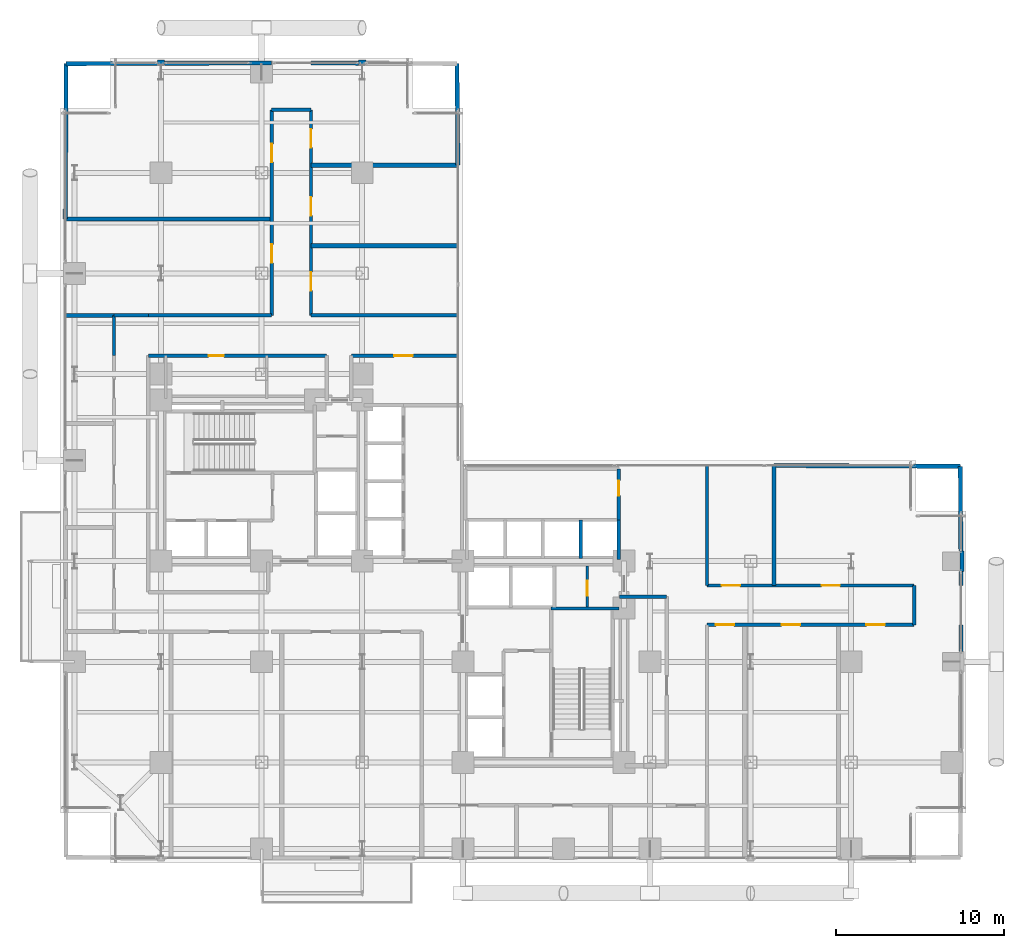
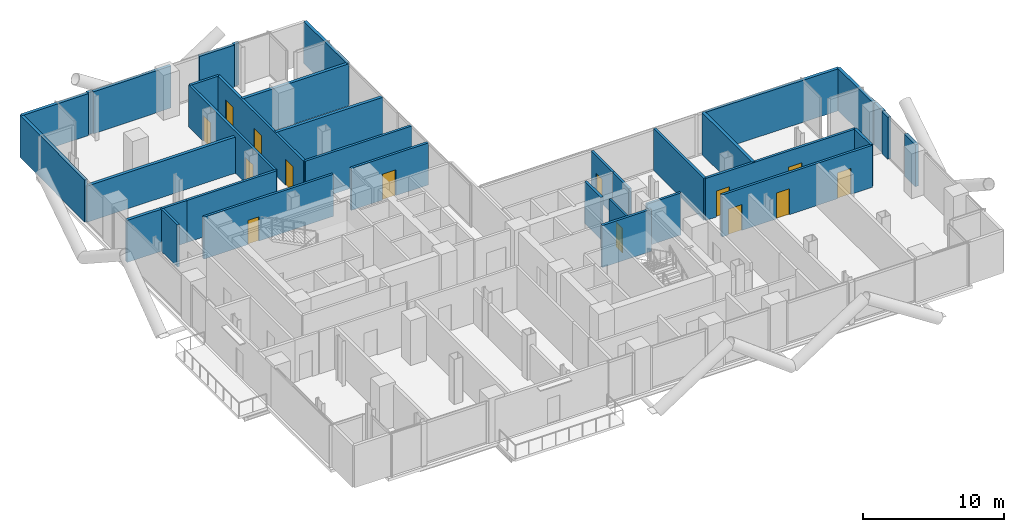
# One storey, part 22 of 25: 36 walls, 14 doors, 14 openings.
"""IFC4 building model written with IfcOpenShell, lengths in metres."""

from ifc_helpers import new_model, si_unit, direction, frame, frame_2d, origin, place, context, subcontext, project, spatial, rectangle, extrude, material, layer, layer_set, type_object, element, fill, save


model = new_model("IFC4")

# Units and contexts
model_context = context("Model", 3, precision=1e-05, world=origin(), true_north=direction((0.0, 1.0)))
body_context = subcontext(model_context, "Body", "Model", "MODEL_VIEW")
ifc_project = project(units=[si_unit("LENGTHUNIT", "METRE"), si_unit("AREAUNIT", "SQUARE_METRE"), si_unit("VOLUMEUNIT", "CUBIC_METRE"), si_unit("PLANEANGLEUNIT", "RADIAN"), si_unit("MASSUNIT", "GRAM", prefix="KILO"), si_unit("THERMODYNAMICTEMPERATUREUNIT", "KELVIN"), si_unit("POWERUNIT", "WATT")], contexts=[model_context])

# Site, building, storey
site_placement = place(None, origin())
site = spatial("IfcSite", under=ifc_project, at=site_placement, CompositionType="ELEMENT")
building_placement = place(site_placement, origin())
building = spatial("IfcBuilding", under=site, at=building_placement, Name="Svarakhadi Broadcast Tower", CompositionType="ELEMENT")
storey_placement = place(building_placement, frame((0.0, 0.0, 83.10009765625)))
storey = spatial("IfcBuildingStorey", under=building, at=storey_placement, Name="L19", CompositionType="ELEMENT", Elevation=83.10009765625)

# Walls
ifc_material_1 = material(Name="Double-Stud Acoustic Studio Partition STC-62", Category="gypsum")
ifc_layer_1 = layer(ifc_material_1, 0.199951171875)
ifc_layer_set_1 = layer_set([ifc_layer_1], Name="Double-Stud Acoustic Studio Partition STC-62")
wall_type_1 = type_object("IfcWallType", Name="Wall_Acoust_200", PredefinedType="PARTITIONING", material=ifc_layer_set_1)
wall_1_placement = place(storey_placement, frame((36.14990234375, 15.8798828125, 0.0), z_axis=(0.0, 0.0, 1.0), x_axis=(-1.0, 0.0, 0.0)))
element("IfcWall", 1, at=wall_1_placement, inside=storey, type_object=wall_type_1, Name="L19 Broadcast Corridor Wall", PredefinedType="PARTITIONING", context=body_context, shape_type="SweptSolid", body=[
    extrude(rectangle(XDim=2.809814453125, YDim=0.199951171875, at=frame_2d((1.40478515625, 0.0))), origin(), (0.0, 0.0, 1.0), 3.64990234375),
])
wall_2_placement = place(storey_placement, frame((38.550048828125, 23.699951171875, 0.0), z_axis=(0.0, 0.0, 1.0), x_axis=(0.0, -1.0, 0.0)))
element("IfcWall", 2, at=wall_2_placement, inside=storey, type_object=wall_type_1, Name="L19 Broadcast Corridor Wall", PredefinedType="PARTITIONING", context=body_context, shape_type="SweptSolid", body=[
    extrude(rectangle(XDim=7.14990234375, YDim=0.199951171875, at=frame_2d((3.574951171875, 0.0))), origin(), (0.0, 0.0, 1.0), 3.64990234375),
])

# Wall, openings, doors
wall_3_placement = place(storey_placement, frame((38.550048828125, 16.550048828125, 0.0), z_axis=(0.0, 0.0, 1.0), x_axis=(1.0, 0.0, 0.0)))
wall_3 = element("IfcWall", 3, at=wall_3_placement, inside=storey, type_object=wall_type_1, Name="L19 Broadcast Corridor Wall", PredefinedType="PARTITIONING", context=body_context, shape_type="SweptSolid", body=[
    extrude(rectangle(XDim=12.349853515625, YDim=0.199951171875, at=frame_2d((6.1748046875, 0.0))), origin(), (0.0, 0.0, 1.0), 3.64990234375),
])
opening_1_placement = place(wall_3_placement, frame((0.8798828125, 0.0, 0.0)))
opening_1 = element("IfcOpeningElement", 4, at=opening_1_placement, cuts=wall_3, Name="Opening D-10", PredefinedType="OPENING", context=body_context, shape_type="SweptSolid", body=[
    extrude(rectangle(XDim=1.10009765625, YDim=2.25, at=frame_2d((0.550048828125, 1.125))), frame((0.0, 0.10986328125, 0.0), z_axis=(0.0, -1.0, 0.0), x_axis=(1.0, 0.0, 0.0)), (0.0, 0.0, 1.0), 0.219970703125),
])
opening_2_placement = place(wall_3_placement, frame((6.830078125, 0.0, 0.0)))
opening_2 = element("IfcOpeningElement", 5, at=opening_2_placement, cuts=wall_3, Name="Opening D-10", PredefinedType="OPENING", context=body_context, shape_type="SweptSolid", body=[
    extrude(rectangle(XDim=1.10009765625, YDim=2.25, at=frame_2d((0.550048828125, 1.125))), frame((0.0, 0.10986328125, 0.0), z_axis=(0.0, -1.0, 0.0), x_axis=(1.0, 0.0, 0.0)), (0.0, 0.0, 1.0), 0.219970703125),
])
ifc_material_2 = material(Name="Solid-Core Teak Veneer Acoustic Timber Leaf", Category="wood")
door_type_1 = type_object("IfcDoorType", Name="Door_Acoust_D10", OperationType="SINGLE_SWING_LEFT", PredefinedType="DOOR", material=ifc_material_2)
door_1_placement = place(opening_1_placement, origin())
door_1 = element("IfcDoor", 6, at=door_1_placement, inside=storey, type_object=door_type_1, Name="L19 Broadcast Acoustic Booth Door", OperationType="SINGLE_SWING_LEFT", OverallHeight=2.25, OverallWidth=1.10009765625, PredefinedType="DOOR", context=body_context, shape_type="SweptSolid", body=[
    extrude(rectangle(XDim=1.10009765625, YDim=2.25, at=frame_2d((0.550048828125, 1.125))), frame((0.0, 0.02490234375, 0.0), z_axis=(0.0, -1.0, 0.0), x_axis=(1.0, 0.0, 0.0)), (0.0, 0.0, 1.0), 0.050048828125),
])
fill(opening_1, door_1)
door_2_placement = place(opening_2_placement, origin())
door_2 = element("IfcDoor", 7, at=door_2_placement, inside=storey, type_object=door_type_1, Name="L19 Broadcast Equipment Operations Room Door", OperationType="SINGLE_SWING_LEFT", OverallHeight=2.25, OverallWidth=1.10009765625, PredefinedType="DOOR", context=body_context, shape_type="SweptSolid", body=[
    extrude(rectangle(XDim=1.10009765625, YDim=2.25, at=frame_2d((0.550048828125, 1.125))), frame((0.0, 0.02490234375, 0.0), z_axis=(0.0, -1.0, 0.0), x_axis=(1.0, 0.0, 0.0)), (0.0, 0.0, 1.0), 0.050048828125),
])
fill(opening_2, door_2)

# Wall
wall_4_placement = place(storey_placement, frame((50.89990234375, 16.550048828125, 0.0), z_axis=(0.0, 0.0, 1.0), x_axis=(0.0, -1.0, 0.0)))
element("IfcWall", 8, at=wall_4_placement, inside=storey, type_object=wall_type_1, Name="L19 Broadcast Corridor Wall", PredefinedType="PARTITIONING", context=body_context, shape_type="SweptSolid", body=[
    extrude(rectangle(XDim=2.35009765625, YDim=0.199951171875, at=frame_2d((1.175048828125, 0.0))), origin(), (0.0, 0.0, 1.0), 3.64990234375),
])

# Wall, openings, doors
wall_5_placement = place(storey_placement, frame((50.89990234375, 14.199951171875, 0.0), z_axis=(0.0, 0.0, 1.0), x_axis=(-1.0, 0.0, 0.0)))
wall_5 = element("IfcWall", 9, at=wall_5_placement, inside=storey, type_object=wall_type_1, Name="L19 Broadcast Corridor Wall", PredefinedType="PARTITIONING", context=body_context, shape_type="SweptSolid", body=[
    extrude(rectangle(XDim=12.349853515625, YDim=0.199951171875, at=frame_2d((6.1748046875, 0.0))), origin(), (0.0, 0.0, 1.0), 3.64990234375),
])
opening_3_placement = place(wall_5_placement, frame((10.72509765625, 0.0, 0.0)))
opening_3 = element("IfcOpeningElement", 10, at=opening_3_placement, cuts=wall_5, Name="Opening D-10", PredefinedType="OPENING", context=body_context, shape_type="SweptSolid", body=[
    extrude(rectangle(XDim=1.10009765625, YDim=2.25, at=frame_2d((0.550048828125, 1.125))), frame((0.0, 0.10986328125, 0.0), z_axis=(0.0, -1.0, 0.0), x_axis=(1.0, 0.0, 0.0)), (0.0, 0.0, 1.0), 0.219970703125),
])
opening_4_placement = place(wall_5_placement, frame((6.800048828125, 0.0, 0.0)))
opening_4 = element("IfcOpeningElement", 11, at=opening_4_placement, cuts=wall_5, Name="Opening D-11", PredefinedType="OPENING", context=body_context, shape_type="SweptSolid", body=[
    extrude(rectangle(XDim=1.10009765625, YDim=2.25, at=frame_2d((0.550048828125, 1.125))), frame((0.0, 0.10986328125, 0.0), z_axis=(0.0, -1.0, 0.0), x_axis=(1.0, 0.0, 0.0)), (0.0, 0.0, 1.0), 0.219970703125),
])
opening_5_placement = place(wall_5_placement, frame((1.75, 0.0, 0.0)))
opening_5 = element("IfcOpeningElement", 12, at=opening_5_placement, cuts=wall_5, Name="Opening D-10", PredefinedType="OPENING", context=body_context, shape_type="SweptSolid", body=[
    extrude(rectangle(XDim=1.10009765625, YDim=2.25, at=frame_2d((0.550048828125, 1.125))), frame((0.0, 0.10986328125, 0.0), z_axis=(0.0, -1.0, 0.0), x_axis=(1.0, 0.0, 0.0)), (0.0, 0.0, 1.0), 0.219970703125),
])
door_3_placement = place(opening_3_placement, origin())
door_3 = element("IfcDoor", 13, at=door_3_placement, inside=storey, type_object=door_type_1, Name="L19 Podcast Roundtable Studio Door", OperationType="SINGLE_SWING_LEFT", OverallHeight=2.25, OverallWidth=1.10009765625, PredefinedType="DOOR", context=body_context, shape_type="SweptSolid", body=[
    extrude(rectangle(XDim=1.10009765625, YDim=2.25, at=frame_2d((0.550048828125, 1.125))), frame((0.0, 0.02490234375, 0.0), z_axis=(0.0, -1.0, 0.0), x_axis=(1.0, 0.0, 0.0)), (0.0, 0.0, 1.0), 0.050048828125),
])
fill(opening_3, door_3)
door_4_placement = place(opening_5_placement, origin())
door_4 = element("IfcDoor", 14, at=door_4_placement, inside=storey, type_object=door_type_1, Name="L19 Guest Waiting Lounge Door", OperationType="SINGLE_SWING_LEFT", OverallHeight=2.25, OverallWidth=1.10009765625, PredefinedType="DOOR", context=body_context, shape_type="SweptSolid", body=[
    extrude(rectangle(XDim=1.10009765625, YDim=2.25, at=frame_2d((0.550048828125, 1.125))), frame((0.0, 0.02490234375, 0.0), z_axis=(0.0, -1.0, 0.0), x_axis=(1.0, 0.0, 0.0)), (0.0, 0.0, 1.0), 0.050048828125),
])
fill(opening_5, door_4)
door_type_2 = type_object("IfcDoorType", Name="Door_Acoust_D11", OperationType="SINGLE_SWING_RIGHT", PredefinedType="DOOR", material=ifc_material_2)
door_5_placement = place(opening_4_placement, origin())
door_5 = element("IfcDoor", 15, at=door_5_placement, inside=storey, type_object=door_type_2, Name="L19 Green-Screen Vodcast Room Door", OperationType="SINGLE_SWING_RIGHT", OverallHeight=2.25, OverallWidth=1.10009765625, PredefinedType="DOOR", context=body_context, shape_type="SweptSolid", body=[
    extrude(rectangle(XDim=1.10009765625, YDim=2.25, at=frame_2d((0.550048828125, 1.125))), frame((0.0, 0.02490234375, 0.0), z_axis=(0.0, -1.0, 0.0), x_axis=(1.0, 0.0, 0.0)), (0.0, 0.0, 1.0), 0.050048828125),
])
fill(opening_4, door_5)

# Walls
wall_6_placement = place(storey_placement, frame((3.199951171875, 30.25, 0.0), z_axis=(0.0, 0.0, 1.0), x_axis=(0.0, 1.0, 0.0)))
element("IfcWall", 16, at=wall_6_placement, inside=storey, type_object=wall_type_1, Name="L19 Broadcast Corridor Wall", PredefinedType="PARTITIONING", context=body_context, shape_type="SweptSolid", body=[
    extrude(rectangle(XDim=2.39990234375, YDim=0.199951171875, at=frame_2d((1.199951171875, 0.0))), origin(), (0.0, 0.0, 1.0), 3.64990234375),
])
wall_7_placement = place(storey_placement, frame((3.199951171875, 32.64990234375, 0.0), z_axis=(0.0, 0.0, 1.0), x_axis=(1.0, 0.0, 0.0)))
element("IfcWall", 17, at=wall_7_placement, inside=storey, type_object=wall_type_1, Name="L19 Broadcast Corridor Wall", PredefinedType="PARTITIONING", context=body_context, shape_type="SweptSolid", body=[
    extrude(rectangle(XDim=2.050048828125, YDim=0.199951171875, at=frame_2d((1.02490234375, 0.0))), origin(), (0.0, 0.0, 1.0), 3.64990234375),
])
wall_8_placement = place(storey_placement, frame((5.25, 32.64990234375, 0.0), z_axis=(0.0, 0.0, 1.0), x_axis=(1.0, 0.0, 0.0)))
element("IfcWall", 18, at=wall_8_placement, inside=storey, type_object=wall_type_1, Name="L19 Broadcast Corridor Wall", PredefinedType="PARTITIONING", context=body_context, shape_type="SweptSolid", body=[
    extrude(rectangle(XDim=7.35009765625, YDim=0.199951171875, at=frame_2d((3.675048828125, 0.0))), origin(), (0.0, 0.0, 1.0), 3.64990234375),
])

# Wall, openings, doors
wall_9_placement = place(storey_placement, frame((12.60009765625, 32.64990234375, 0.0), z_axis=(0.0, 0.0, 1.0), x_axis=(0.0, 1.0, 0.0)))
wall_9 = element("IfcWall", 19, at=wall_9_placement, inside=storey, type_object=wall_type_1, Name="L19 Broadcast Corridor Wall", PredefinedType="PARTITIONING", context=body_context, shape_type="SweptSolid", body=[
    extrude(rectangle(XDim=12.25, YDim=0.199951171875, at=frame_2d((6.125, 0.0))), origin(), (0.0, 0.0, 1.0), 3.64990234375),
])
opening_6_placement = place(wall_9_placement, frame((3.1298828125, 0.0, 0.0)))
opening_6 = element("IfcOpeningElement", 20, at=opening_6_placement, cuts=wall_9, Name="Opening D-11", PredefinedType="OPENING", context=body_context, shape_type="SweptSolid", body=[
    extrude(rectangle(XDim=1.10009765625, YDim=2.25, at=frame_2d((0.550048828125, 1.125))), frame((0.0, 0.10986328125, 0.0), z_axis=(0.0, -1.0, 0.0), x_axis=(1.0, 0.0, 0.0)), (0.0, 0.0, 1.0), 0.219970703125),
])
opening_7_placement = place(wall_9_placement, frame((9.1298828125, 0.0, 0.0)))
opening_7 = element("IfcOpeningElement", 21, at=opening_7_placement, cuts=wall_9, Name="Opening D-11", PredefinedType="OPENING", context=body_context, shape_type="SweptSolid", body=[
    extrude(rectangle(XDim=1.10009765625, YDim=2.25, at=frame_2d((0.550048828125, 1.125))), frame((0.0, 0.10986328125, 0.0), z_axis=(0.0, -1.0, 0.0), x_axis=(1.0, 0.0, 0.0)), (0.0, 0.0, 1.0), 0.219970703125),
])
door_6_placement = place(opening_6_placement, origin())
door_6 = element("IfcDoor", 22, at=door_6_placement, inside=storey, type_object=door_type_2, Name="L19 Web Engineering Hub Door", OperationType="SINGLE_SWING_RIGHT", OverallHeight=2.25, OverallWidth=1.10009765625, PredefinedType="DOOR", context=body_context, shape_type="SweptSolid", body=[
    extrude(rectangle(XDim=1.10009765625, YDim=2.25, at=frame_2d((0.550048828125, 1.125))), frame((0.0, 0.02490234375, 0.0), z_axis=(0.0, -1.0, 0.0), x_axis=(1.0, 0.0, 0.0)), (0.0, 0.0, 1.0), 0.050048828125),
])
fill(opening_6, door_6)
door_7_placement = place(opening_7_placement, origin())
door_7 = element("IfcDoor", 23, at=door_7_placement, inside=storey, type_object=door_type_2, Name="L19 Creators Coffee Bar Door", OperationType="SINGLE_SWING_RIGHT", OverallHeight=2.25, OverallWidth=1.10009765625, PredefinedType="DOOR", context=body_context, shape_type="SweptSolid", body=[
    extrude(rectangle(XDim=1.10009765625, YDim=2.25, at=frame_2d((0.550048828125, 1.125))), frame((0.0, 0.02490234375, 0.0), z_axis=(0.0, -1.0, 0.0), x_axis=(1.0, 0.0, 0.0)), (0.0, 0.0, 1.0), 0.050048828125),
])
fill(opening_7, door_7)

# Wall
wall_10_placement = place(storey_placement, frame((12.60009765625, 44.89990234375, 0.0), z_axis=(0.0, 0.0, 1.0), x_axis=(1.0, 0.0, 0.0)))
element("IfcWall", 24, at=wall_10_placement, inside=storey, type_object=wall_type_1, Name="L19 Broadcast Corridor Wall", PredefinedType="PARTITIONING", context=body_context, shape_type="SweptSolid", body=[
    extrude(rectangle(XDim=2.349853515625, YDim=0.199951171875, at=frame_2d((1.1748046875, 0.0))), origin(), (0.0, 0.0, 1.0), 3.64990234375),
])

# Wall, openings, doors
wall_11_placement = place(storey_placement, frame((14.949951171875, 44.89990234375, 0.0), z_axis=(0.0, 0.0, 1.0), x_axis=(0.0, -1.0, 0.0)))
wall_11 = element("IfcWall", 25, at=wall_11_placement, inside=storey, type_object=wall_type_1, Name="L19 Broadcast Corridor Wall", PredefinedType="PARTITIONING", context=body_context, shape_type="SweptSolid", body=[
    extrude(rectangle(XDim=12.25, YDim=0.199951171875, at=frame_2d((6.125, 0.0))), origin(), (0.0, 0.0, 1.0), 3.64990234375),
])
opening_8_placement = place(wall_11_placement, frame((9.675048828125, 0.0, 0.0)))
opening_8 = element("IfcOpeningElement", 26, at=opening_8_placement, cuts=wall_11, Name="Opening D-11", PredefinedType="OPENING", context=body_context, shape_type="SweptSolid", body=[
    extrude(rectangle(XDim=1.10009765625, YDim=2.25, at=frame_2d((0.550048828125, 1.125))), frame((0.0, 0.10986328125, 0.0), z_axis=(0.0, -1.0, 0.0), x_axis=(1.0, 0.0, 0.0)), (0.0, 0.0, 1.0), 0.219970703125),
])
opening_9_placement = place(wall_11_placement, frame((5.199951171875, 0.0, 0.0)))
opening_9 = element("IfcOpeningElement", 27, at=opening_9_placement, cuts=wall_11, Name="Opening D-10", PredefinedType="OPENING", context=body_context, shape_type="SweptSolid", body=[
    extrude(rectangle(XDim=1.10009765625, YDim=2.25, at=frame_2d((0.550048828125, 1.125))), frame((0.0, 0.10986328125, 0.0), z_axis=(0.0, -1.0, 0.0), x_axis=(1.0, 0.0, 0.0)), (0.0, 0.0, 1.0), 0.219970703125),
])
opening_10_placement = place(wall_11_placement, frame((1.14990234375, 0.0, 0.0)))
opening_10 = element("IfcOpeningElement", 28, at=opening_10_placement, cuts=wall_11, Name="Opening D-11", PredefinedType="OPENING", context=body_context, shape_type="SweptSolid", body=[
    extrude(rectangle(XDim=1.10009765625, YDim=2.25, at=frame_2d((0.550048828125, 1.125))), frame((0.0, 0.10986328125, 0.0), z_axis=(0.0, -1.0, 0.0), x_axis=(1.0, 0.0, 0.0)), (0.0, 0.0, 1.0), 0.219970703125),
])
door_8_placement = place(opening_9_placement, origin())
door_8 = element("IfcDoor", 29, at=door_8_placement, inside=storey, type_object=door_type_1, Name="L19 Edge Cache Server Room Door", OperationType="SINGLE_SWING_LEFT", OverallHeight=2.25, OverallWidth=1.10009765625, PredefinedType="DOOR", context=body_context, shape_type="SweptSolid", body=[
    extrude(rectangle(XDim=1.10009765625, YDim=2.25, at=frame_2d((0.550048828125, 1.125))), frame((0.0, 0.02490234375, 0.0), z_axis=(0.0, -1.0, 0.0), x_axis=(1.0, 0.0, 0.0)), (0.0, 0.0, 1.0), 0.050048828125),
])
fill(opening_9, door_8)
door_9_placement = place(opening_8_placement, origin())
door_9 = element("IfcDoor", 30, at=door_9_placement, inside=storey, type_object=door_type_2, Name="L19 Stream Monitoring Office Door", OperationType="SINGLE_SWING_RIGHT", OverallHeight=2.25, OverallWidth=1.10009765625, PredefinedType="DOOR", context=body_context, shape_type="SweptSolid", body=[
    extrude(rectangle(XDim=1.10009765625, YDim=2.25, at=frame_2d((0.550048828125, 1.125))), frame((0.0, 0.02490234375, 0.0), z_axis=(0.0, -1.0, 0.0), x_axis=(1.0, 0.0, 0.0)), (0.0, 0.0, 1.0), 0.050048828125),
])
fill(opening_8, door_9)
door_10_placement = place(opening_10_placement, origin())
door_10 = element("IfcDoor", 31, at=door_10_placement, inside=storey, type_object=door_type_2, Name="L19 Agile Scrum Huddle Room Door", OperationType="SINGLE_SWING_RIGHT", OverallHeight=2.25, OverallWidth=1.10009765625, PredefinedType="DOOR", context=body_context, shape_type="SweptSolid", body=[
    extrude(rectangle(XDim=1.10009765625, YDim=2.25, at=frame_2d((0.550048828125, 1.125))), frame((0.0, 0.02490234375, 0.0), z_axis=(0.0, -1.0, 0.0), x_axis=(1.0, 0.0, 0.0)), (0.0, 0.0, 1.0), 0.050048828125),
])
fill(opening_10, door_10)

# Wall
wall_12_placement = place(storey_placement, frame((14.949951171875, 32.64990234375, 0.0), z_axis=(0.0, 0.0, 1.0), x_axis=(1.0, 0.0, 0.0)))
element("IfcWall", 32, at=wall_12_placement, inside=storey, type_object=wall_type_1, Name="L19 Broadcast Corridor Wall", PredefinedType="PARTITIONING", context=body_context, shape_type="SweptSolid", body=[
    extrude(rectangle(XDim=8.75, YDim=0.199951171875, at=frame_2d((4.375, 0.0))), origin(), (0.0, 0.0, 1.0), 3.64990234375),
])

# Wall, opening, door
wall_13_placement = place(storey_placement, frame((23.699951171875, 30.25, 0.0), z_axis=(0.0, 0.0, 1.0), x_axis=(-1.0, 0.0, 0.0)))
wall_13 = element("IfcWall", 33, at=wall_13_placement, inside=storey, type_object=wall_type_1, Name="L19 Broadcast Corridor Wall", PredefinedType="PARTITIONING", context=body_context, shape_type="SweptSolid", body=[
    extrude(rectangle(XDim=6.349853515625, YDim=0.199951171875, at=frame_2d((3.1748046875, 0.0))), origin(), (0.0, 0.0, 1.0), 3.64990234375),
])
opening_11_placement = place(wall_13_placement, frame((2.699951171875, 0.0, 0.0)))
opening_11 = element("IfcOpeningElement", 34, at=opening_11_placement, cuts=wall_13, Name="Opening D-10", PredefinedType="OPENING", context=body_context, shape_type="SweptSolid", body=[
    extrude(rectangle(XDim=1.10009765625, YDim=2.25, at=frame_2d((0.550048828125, 1.125))), frame((0.0, 0.10986328125, 0.0), z_axis=(0.0, -1.0, 0.0), x_axis=(1.0, 0.0, 0.0)), (0.0, 0.0, 1.0), 0.219970703125),
])
door_11_placement = place(opening_11_placement, origin())
door_11 = element("IfcDoor", 35, at=door_11_placement, inside=storey, type_object=door_type_1, Name="L19 Production Continuity Office Door", OperationType="SINGLE_SWING_LEFT", OverallHeight=2.25, OverallWidth=1.10009765625, PredefinedType="DOOR", context=body_context, shape_type="SweptSolid", body=[
    extrude(rectangle(XDim=1.10009765625, YDim=2.25, at=frame_2d((0.550048828125, 1.125))), frame((0.0, 0.02490234375, 0.0), z_axis=(0.0, -1.0, 0.0), x_axis=(1.0, 0.0, 0.0)), (0.0, 0.0, 1.0), 0.050048828125),
])
fill(opening_11, door_11)

wall_14_placement = place(storey_placement, frame((15.8798828125, 30.25, 0.0), z_axis=(0.0, 0.0, 1.0), x_axis=(-1.0, 0.0, 0.0)))
wall_14 = element("IfcWall", 36, at=wall_14_placement, inside=storey, type_object=wall_type_1, Name="L19 Broadcast Corridor Wall", PredefinedType="PARTITIONING", context=body_context, shape_type="SweptSolid", body=[
    extrude(rectangle(XDim=10.6298828125, YDim=0.199951171875, at=frame_2d((5.31494140625, 0.0))), origin(), (0.0, 0.0, 1.0), 3.64990234375),
])
opening_12_placement = place(wall_14_placement, frame((6.1298828125, 0.0, 0.0)))
opening_12 = element("IfcOpeningElement", 37, at=opening_12_placement, cuts=wall_14, Name="Opening D-13", PredefinedType="OPENING", context=body_context, shape_type="SweptSolid", body=[
    extrude(rectangle(XDim=0.89990234375, YDim=2.10009765625, at=frame_2d((0.449951171875, 1.050048828125))), frame((0.0, 0.10986328125, 0.0), z_axis=(0.0, -1.0, 0.0), x_axis=(1.0, 0.0, 0.0)), (0.0, 0.0, 1.0), 0.219970703125),
])
door_type_3 = type_object("IfcDoorType", Name="Door_Closet_D13", OperationType="SINGLE_SWING_RIGHT", PredefinedType="DOOR", material=ifc_material_2)
door_12_placement = place(opening_12_placement, origin())
door_12 = element("IfcDoor", 38, at=door_12_placement, inside=storey, type_object=door_type_3, Name="L19 Accessible Toilet WC Door", OperationType="SINGLE_SWING_RIGHT", OverallHeight=2.10009765625, OverallWidth=0.89990234375, PredefinedType="DOOR", context=body_context, shape_type="SweptSolid", body=[
    extrude(rectangle(XDim=0.89990234375, YDim=2.10009765625, at=frame_2d((0.449951171875, 1.050048828125))), frame((0.0, 0.02490234375, 0.0), z_axis=(0.0, -1.0, 0.0), x_axis=(1.0, 0.0, 0.0)), (0.0, 0.0, 1.0), 0.050048828125),
])
fill(opening_12, door_12)

# Walls
ifc_layer_2 = layer(ifc_material_1, 0.25)
ifc_layer_set_2 = layer_set([ifc_layer_2], Name="Double-Stud Acoustic Studio Partition STC-62")
wall_type_2 = type_object("IfcWallType", Name="Wall_Acoust_250", PredefinedType="PARTITIONING", material=ifc_layer_set_2)
wall_15_placement = place(storey_placement, frame((53.6943359375, 12.614990234375, 0.0), z_axis=(0.0, 0.0, 1.0), x_axis=(0.003542799701, 0.999993724265, 0.0)))
element("IfcWall", 39, at=wall_15_placement, inside=storey, type_object=wall_type_2, Name="L19 Guest Waiting Lounge Wall", PredefinedType="PARTITIONING", context=body_context, shape_type="SweptSolid", body=[
    extrude(rectangle(XDim=1.5849609375, YDim=0.25, at=frame_2d((0.79248046875, 0.0))), origin(), (0.0, 0.0, 1.0), 3.64990234375),
])
wall_16_placement = place(storey_placement, frame((42.550048828125, 16.550048828125, 0.0), z_axis=(0.0, 0.0, 1.0), x_axis=(0.0, 1.0, 0.0)))
element("IfcWall", 40, at=wall_16_placement, inside=storey, type_object=wall_type_2, Name="L19 Broadcast Acoustic Booth Wall", PredefinedType="PARTITIONING", context=body_context, shape_type="SweptSolid", body=[
    extrude(rectangle(XDim=7.14990234375, YDim=0.25, at=frame_2d((3.574951171875, 0.0))), origin(), (0.0, 0.0, 1.0), 3.64990234375),
])
wall_17_placement = place(storey_placement, frame((42.550048828125, 23.699951171875, 0.0), z_axis=(0.0, 0.0, 1.0), x_axis=(0.999989834782, -0.004508917104, 0.0)))
element("IfcWall", 41, at=wall_17_placement, inside=storey, type_object=wall_type_2, Name="L19 Broadcast Equipment Operations Room Wall", PredefinedType="PARTITIONING", context=body_context, shape_type="SweptSolid", body=[
    extrude(rectangle(XDim=11.099853515625, YDim=0.25, at=frame_2d((5.5498046875, 0.0))), origin(), (0.0, 0.0, 1.0), 3.64990234375),
])
wall_18_placement = place(storey_placement, frame((53.699951171875, 16.550048828125, 0.0), z_axis=(0.0, 0.0, 1.0), x_axis=(-0.007017371073, 0.999975377948, 0.0)))
element("IfcWall", 42, at=wall_18_placement, inside=storey, type_object=wall_type_2, Name="L19 Broadcast Equipment Operations Room Wall", PredefinedType="PARTITIONING", context=body_context, shape_type="SweptSolid", body=[
    extrude(rectangle(XDim=0.8349609375, YDim=0.25, at=frame_2d((0.41748046875, 0.0))), origin(), (0.0, 0.0, 1.0), 3.64990234375),
])
wall_19_placement = place(storey_placement, frame((53.685546875, 18.614990234375, 0.0), z_axis=(0.0, 0.0, 1.0), x_axis=(-0.007079296972, 0.999974941463, 0.0)))
element("IfcWall", 43, at=wall_19_placement, inside=storey, type_object=wall_type_2, Name="L19 Broadcast Equipment Operations Room Wall", PredefinedType="PARTITIONING", context=body_context, shape_type="SweptSolid", body=[
    extrude(rectangle(XDim=5.03515625, YDim=0.25, at=frame_2d((2.517578125, 0.0))), origin(), (0.0, 0.0, 1.0), 3.64990234375),
])
wall_20_placement = place(storey_placement, frame((0.300048828125, 38.39990234375, 0.0), z_axis=(0.0, 0.0, 1.0), x_axis=(1.0, 0.0, 0.0)))
element("IfcWall", 44, at=wall_20_placement, inside=storey, type_object=wall_type_2, Name="L19 Web Engineering Hub Wall", PredefinedType="PARTITIONING", context=body_context, shape_type="SweptSolid", body=[
    extrude(rectangle(XDim=12.300048828125, YDim=0.25, at=frame_2d((6.14990234375, 0.0))), origin(), (0.0, 0.0, 1.0), 3.141845703125),
])
wall_21_placement = place(storey_placement, frame((0.35009765625, 47.64990234375, 0.0), z_axis=(0.0, 0.0, 1.0), x_axis=(0.999991644778, 0.004087832518, 0.0)))
element("IfcWall", 45, at=wall_21_placement, inside=storey, type_object=wall_type_2, Name="L19 Creators Coffee Bar Wall", PredefinedType="PARTITIONING", context=body_context, shape_type="SweptSolid", body=[
    extrude(rectangle(XDim=5.434814453125, YDim=0.25, at=frame_2d((2.71728515625, 0.0))), origin(), (0.0, 0.0, 1.0), 3.64990234375),
])
wall_22_placement = place(storey_placement, frame((6.215087890625, 47.673828125, 0.0), z_axis=(0.0, 0.0, 1.0), x_axis=(0.999991630701, 0.004091274595, 0.0)))
element("IfcWall", 46, at=wall_22_placement, inside=storey, type_object=wall_type_2, Name="L19 Creators Coffee Bar Wall", PredefinedType="PARTITIONING", context=body_context, shape_type="SweptSolid", body=[
    extrude(rectangle(XDim=6.385009765625, YDim=0.25, at=frame_2d((3.1923828125, 0.0))), origin(), (0.0, 0.0, 1.0), 3.64990234375),
])
wall_23_placement = place(storey_placement, frame((0.300048828125, 38.39990234375, 0.0), z_axis=(0.0, 0.0, 1.0), x_axis=(0.005410604923, 0.99998536257, 0.0)))
element("IfcWall", 47, at=wall_23_placement, inside=storey, type_object=wall_type_2, Name="L19 Creators Coffee Bar Wall", PredefinedType="PARTITIONING", context=body_context, shape_type="SweptSolid", body=[
    extrude(rectangle(XDim=9.250244140625, YDim=0.25, at=frame_2d((4.625, 0.0))), origin(), (0.0, 0.0, 1.0), 3.64990234375),
])
for number, where, z_axis, x_axis, name in (
    (48, (14.949951171875, 36.800048828125, 0.0), (0.0, 0.0, 1.0), (1.0, 0.0, 0.0), "L19 Stream Monitoring Office Wall"),
    (49, (14.949951171875, 41.60009765625, 0.0), (0.0, 0.0, 1.0), (1.0, 0.0, 0.0), "L19 Edge Cache Server Room Wall"),
):
    element("IfcWall", number, at=place(storey_placement, frame(where, z_axis=z_axis, x_axis=x_axis)), inside=storey, type_object=wall_type_2, Name=name, PredefinedType="PARTITIONING", context=body_context, shape_type="SweptSolid", body=[
        extrude(rectangle(XDim=8.75, YDim=0.25, at=frame_2d((4.375, 0.0))), origin(), (0.0, 0.0, 1.0), 3.64990234375),
    ])
wall_24_placement = place(storey_placement, frame((14.949951171875, 47.699951171875, 0.0), z_axis=(0.0, 0.0, 1.0), x_axis=(0.999983354582, -0.005769797172, 0.0)))
element("IfcWall", 50, at=wall_24_placement, inside=storey, type_object=wall_type_2, Name="L19 Agile Scrum Huddle Room Wall", PredefinedType="PARTITIONING", context=body_context, shape_type="SweptSolid", body=[
    extrude(rectangle(XDim=2.8349609375, YDim=0.25, at=frame_2d((1.41748046875, 0.0))), origin(), (0.0, 0.0, 1.0), 3.64990234375),
])
wall_25_placement = place(storey_placement, frame((23.699951171875, 41.60009765625, 0.0), z_axis=(0.0, 0.0, 1.0), x_axis=(-0.008272517568, 0.999965782141, 0.0)))
element("IfcWall", 51, at=wall_25_placement, inside=storey, type_object=wall_type_2, Name="L19 Agile Scrum Huddle Room Wall", PredefinedType="PARTITIONING", context=body_context, shape_type="SweptSolid", body=[
    extrude(rectangle(XDim=6.050048828125, YDim=0.25, at=frame_2d((3.02490234375, 0.0))), origin(), (0.0, 0.0, 1.0), 3.64990234375),
])
wall_26_placement = place(storey_placement, frame((0.300048828125, 32.64990234375, 0.0), z_axis=(0.0, 0.0, 1.0), x_axis=(1.0, 0.0, 0.0)))
element("IfcWall", 52, at=wall_26_placement, inside=storey, type_object=wall_type_2, Name="L19 Producer Quiet Lounge Wall", PredefinedType="PARTITIONING", context=body_context, shape_type="SweptSolid", body=[
    extrude(rectangle(XDim=2.89990234375, YDim=0.25, at=frame_2d((1.449951171875, 0.0))), origin(), (0.0, 0.0, 1.0), 3.64990234375),
])
ifc_material_3 = material(Name="Concrete C40/50 (IS 456 M50)", Category="concrete")
ifc_layer_3 = layer(ifc_material_3, 0.239990234375)
ifc_layer_set_3 = layer_set([ifc_layer_3], Name="Concrete C40/50 (IS 456 M50)")
wall_type_3 = type_object("IfcWallType", Name="Wall_Ext_240", PredefinedType="SOLIDWALL", material=ifc_layer_set_3)
for number, where, z_axis, x_axis, name in (
    (53, (5.784912109375, 47.760009765625, 0.0), (0.0, 0.0, 1.0), (1.0, 0.0, 0.0), "L19 Perimeter Bronze Spandrel Closure Wall 01"),
    (54, (17.784912109375, 47.760009765625, 0.0), (0.0, 0.0, 1.0), (1.0, 0.0, 0.0), "L19 Perimeter Bronze Spandrel Closure Wall 02"),
):
    element("IfcWall", number, at=place(storey_placement, frame(where, z_axis=z_axis, x_axis=x_axis)), inside=storey, type_object=wall_type_3, Name=name, PredefinedType="SOLIDWALL", context=body_context, shape_type="SweptSolid", body=[
        extrude(rectangle(XDim=0.43017578125, YDim=0.239990234375, at=frame_2d((0.215087890625, 0.0))), origin(), (0.0, 0.0, 1.0), 3.64990234375),
    ])
wall_27_placement = place(storey_placement, frame((53.760009765625, 18.614990234375, 0.0), z_axis=(0.0, 0.0, 1.0), x_axis=(0.0, -1.0, 0.0)))
element("IfcWall", 55, at=wall_27_placement, inside=storey, type_object=wall_type_3, Name="L19 Perimeter Bronze Spandrel Closure Wall 03", PredefinedType="SOLIDWALL", context=body_context, shape_type="SweptSolid", body=[
    extrude(rectangle(XDim=1.22998046875, YDim=0.239990234375, at=frame_2d((0.614990234375, 0.0))), origin(), (0.0, 0.0, 1.0), 3.64990234375),
])

# Wall, opening, door
ifc_material_4 = material(Name="Autoclaved Aerated Concrete Blockwork 150 mm", Category="masonry")
ifc_layer_4 = layer(ifc_material_4, 0.14990234375)
ifc_layer_set_4 = layer_set([ifc_layer_4], Name="Autoclaved Aerated Concrete Blockwork 150 mm")
wall_type_4 = type_object("IfcWallType", Name="Wall_Part_150", PredefinedType="PARTITIONING", material=ifc_layer_set_4)
wall_28_placement = place(storey_placement, frame((31.419921875, 15.280029296875, 0.0), z_axis=(0.0, 0.0, 1.0), x_axis=(0.0, 1.0, 0.0)))
wall_28 = element("IfcWall", 56, at=wall_28_placement, inside=storey, type_object=wall_type_4, Name="L19 East Core Dual Store Wall", PredefinedType="PARTITIONING", context=body_context, shape_type="SweptSolid", body=[
    extrude(rectangle(XDim=2.419921875, YDim=0.14990234375, at=frame_2d((1.2099609375, 0.0))), origin(), (0.0, 0.0, 1.0), 3.64990234375),
])
opening_13_placement = place(wall_28_placement, frame((0.64990234375, 0.0, 0.0)))
opening_13 = element("IfcOpeningElement", 57, at=opening_13_placement, cuts=wall_28, Name="Opening D-03", PredefinedType="OPENING", context=body_context, shape_type="SweptSolid", body=[
    extrude(rectangle(XDim=0.89990234375, YDim=2.14990234375, at=frame_2d((0.449951171875, 1.074951171875))), frame((0.0, 0.0849609375, 0.0), z_axis=(0.0, -1.0, 0.0), x_axis=(1.0, 0.0, 0.0)), (0.0, 0.0, 1.0), 0.169921875),
])
ifc_material_5 = material(Name="Galvanised Powder-Coated Fire-Rated Steel Leaf", Category="steel")
door_type_4 = type_object("IfcDoorType", Name="Door_Fire_D03", OperationType="SINGLE_SWING_LEFT", PredefinedType="DOOR", material=ifc_material_5)
door_13_placement = place(opening_13_placement, origin())
door_13 = element("IfcDoor", 58, at=door_13_placement, inside=storey, type_object=door_type_4, Name="L19 East Core Store B Door", OperationType="SINGLE_SWING_LEFT", OverallHeight=2.14990234375, OverallWidth=0.89990234375, PredefinedType="DOOR", context=body_context, shape_type="SweptSolid", body=[
    extrude(rectangle(XDim=0.89990234375, YDim=2.14990234375, at=frame_2d((0.449951171875, 1.074951171875))), frame((0.0, 0.02490234375, 0.0), z_axis=(0.0, -1.0, 0.0), x_axis=(1.0, 0.0, 0.0)), (0.0, 0.0, 1.0), 0.050048828125),
])
fill(opening_13, door_13)

# Walls
ifc_material_6 = material(Name="Concrete C50/60 (IS 456 M60)", Category="concrete")
ifc_layer_5 = layer(ifc_material_6, 0.199951171875)
ifc_layer_set_5 = layer_set([ifc_layer_5], Name="Concrete C50/60 (IS 456 M60)")
wall_type_5 = type_object("IfcWallType", Name="Wall_Shear_200", PredefinedType="SHEAR", material=ifc_layer_set_5)
wall_29_placement = place(storey_placement, frame((29.260009765625, 15.179931640625, 0.0), z_axis=(0.0, 0.0, 1.0), x_axis=(1.0, 0.0, 0.0)))
element("IfcWall", 59, at=wall_29_placement, inside=storey, type_object=wall_type_5, Name="L19 Stair ST-02 North RC Shaft Wall", PredefinedType="SHEAR", context=body_context, shape_type="SweptSolid", body=[
    extrude(rectangle(XDim=4.0400390625, YDim=0.199951171875, at=frame_2d((2.02001953125, 0.0))), origin(), (0.0, 0.0, 1.0), 3.64990234375),
])
wall_30_placement = place(storey_placement, frame((33.300048828125, 18.10009765625, 0.0), z_axis=(0.0, 0.0, 1.0), x_axis=(0.0, 1.0, 0.0)))
element("IfcWall", 60, at=wall_30_placement, inside=storey, type_object=wall_type_5, Name="L19 Bank B East Shaft Wall", PredefinedType="SHEAR", context=body_context, shape_type="SweptSolid", body=[
    extrude(rectangle(XDim=2.349853515625, YDim=0.199951171875, at=frame_2d((1.1748046875, 0.0))), origin(), (0.0, 0.0, 1.0), 3.64990234375),
])
wall_31_placement = place(storey_placement, frame((31.02001953125, 18.14990234375, 0.0), z_axis=(0.0, 0.0, 1.0), x_axis=(0.0, 1.0, 0.0)))
element("IfcWall", 61, at=wall_31_placement, inside=storey, type_object=wall_type_5, Name="L19 Bank B Divider", PredefinedType="SHEAR", context=body_context, shape_type="SweptSolid", body=[
    extrude(rectangle(XDim=2.300048828125, YDim=0.199951171875, at=frame_2d((1.14990234375, 0.0))), origin(), (0.0, 0.0, 1.0), 3.64990234375),
])

# Wall, opening, door
wall_32_placement = place(storey_placement, frame((33.300048828125, 20.449951171875, 0.0), z_axis=(0.0, 0.0, 1.0), x_axis=(0.0, 1.0, 0.0)))
wall_32 = element("IfcWall", 62, at=wall_32_placement, inside=storey, type_object=wall_type_5, Name="L19 Bank B Lift Hall East Wall", PredefinedType="SHEAR", context=body_context, shape_type="SweptSolid", body=[
    extrude(rectangle(XDim=3.050048828125, YDim=0.199951171875, at=frame_2d((1.52490234375, 0.0))), origin(), (0.0, 0.0, 1.0), 3.64990234375),
])
opening_14_placement = place(wall_32_placement, frame((1.449951171875, 0.0, 0.0)))
opening_14 = element("IfcOpeningElement", 63, at=opening_14_placement, cuts=wall_32, Name="Opening D-03", PredefinedType="OPENING", context=body_context, shape_type="SweptSolid", body=[
    extrude(rectangle(XDim=0.89990234375, YDim=2.14990234375, at=frame_2d((0.449951171875, 1.074951171875))), frame((0.0, 0.10986328125, 0.0), z_axis=(0.0, -1.0, 0.0), x_axis=(1.0, 0.0, 0.0)), (0.0, 0.0, 1.0), 0.219970703125),
])
door_14_placement = place(opening_14_placement, origin())
door_14 = element("IfcDoor", 64, at=door_14_placement, inside=storey, type_object=door_type_4, Name="L19 Mid-Rise Lift Hall East Corridor Door", OperationType="SINGLE_SWING_LEFT", OverallHeight=2.14990234375, OverallWidth=0.89990234375, PredefinedType="DOOR", context=body_context, shape_type="SweptSolid", body=[
    extrude(rectangle(XDim=0.89990234375, YDim=2.14990234375, at=frame_2d((0.449951171875, 1.074951171875))), frame((0.0, 0.02490234375, 0.0), z_axis=(0.0, -1.0, 0.0), x_axis=(1.0, 0.0, 0.0)), (0.0, 0.0, 1.0), 0.050048828125),
])
fill(opening_14, door_14)

save(model, "model.ifc")
